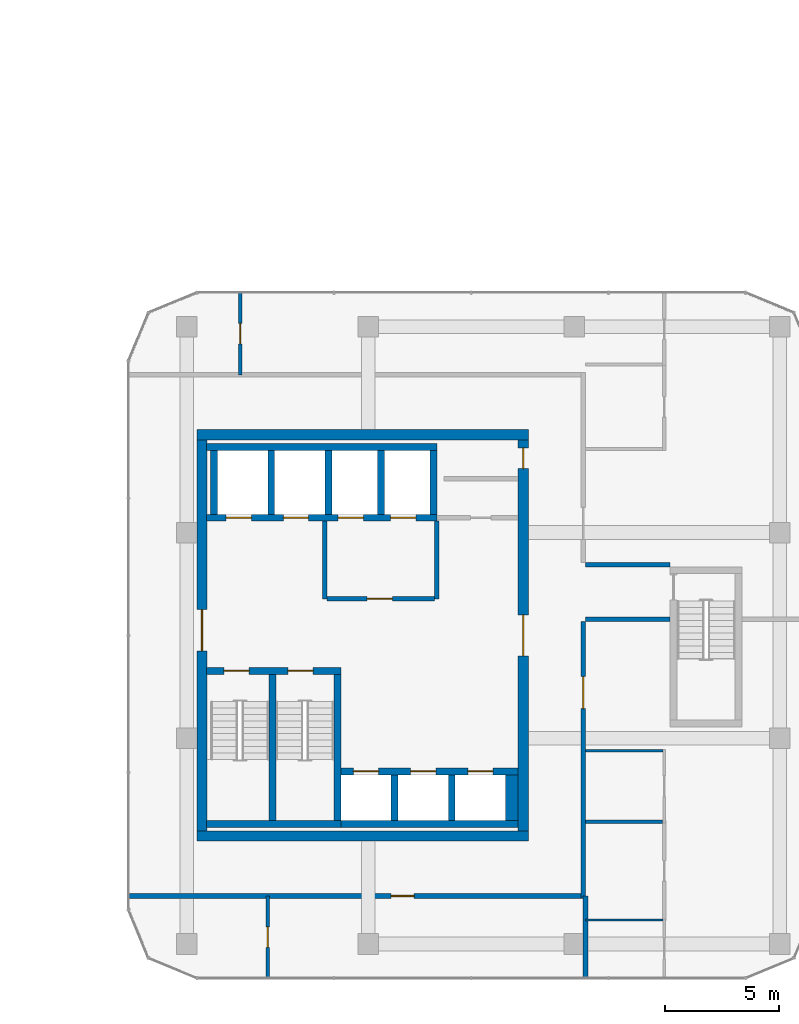
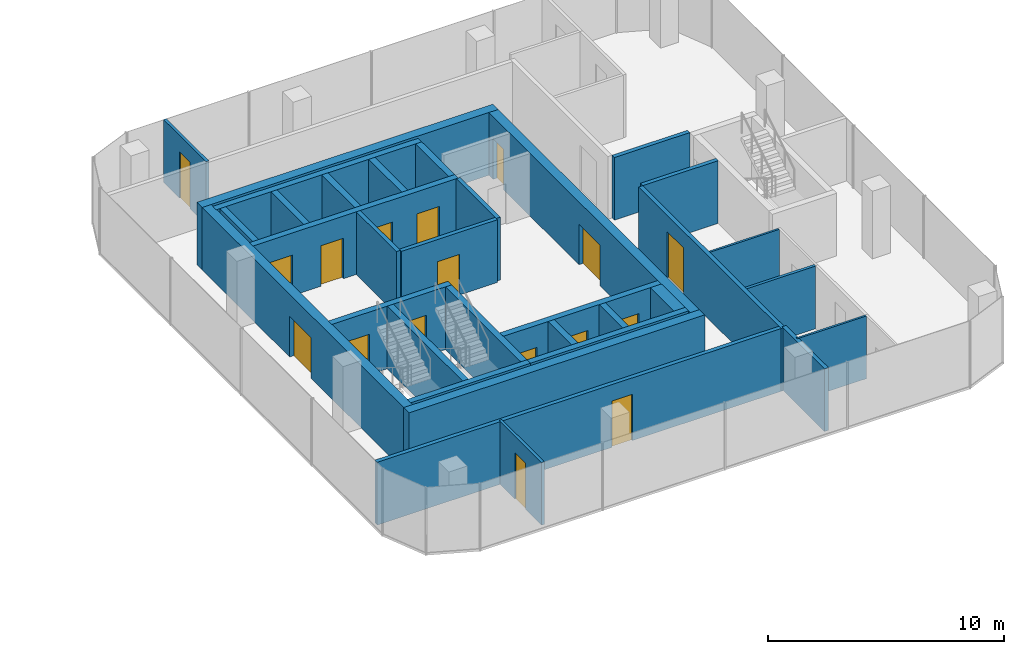
# One storey, part 18 of 23: 33 walls, 17 doors, 17 openings.
"""IFC4 building model written with IfcOpenShell, lengths in metres."""

from ifc_helpers import new_model, si_unit, direction, frame, frame_2d, origin, place, context, subcontext, project, spatial, rectangle, extrude, material, layer, layer_set, type_object, element, fill, save


model = new_model("IFC4")

# Units and contexts
model_context = context("Model", 3, precision=1e-05, world=origin(), true_north=direction((0.0, 1.0)))
body_context = subcontext(model_context, "Body", "Model", "MODEL_VIEW")
ifc_project = project(units=[si_unit("LENGTHUNIT", "METRE"), si_unit("AREAUNIT", "SQUARE_METRE"), si_unit("VOLUMEUNIT", "CUBIC_METRE"), si_unit("PLANEANGLEUNIT", "RADIAN"), si_unit("MASSUNIT", "GRAM", prefix="KILO")], contexts=[model_context])

# Site, building, storey
site_placement = place(None, origin())
site = spatial("IfcSite", under=ifc_project, at=site_placement, CompositionType="ELEMENT")
building_placement = place(site_placement, origin())
building = spatial("IfcBuilding", under=site, at=building_placement, Name="Plateau Cross Towers", CompositionType="ELEMENT")
storey_placement = place(building_placement, frame((0.0, 0.0, 85.300048828125)))
storey = spatial("IfcBuildingStorey", under=building, at=storey_placement, Name="L21", CompositionType="ELEMENT", Elevation=85.300048828125)

# Wall
ifc_material_1 = material(Name="Concrete block, plastered both sides", Category="concrete")
ifc_layer_1 = layer(ifc_material_1, 0.199951171875)
ifc_layer_set_1 = layer_set([ifc_layer_1], Name="Concrete block, plastered both sides")
wall_type_1 = type_object("IfcWallType", Name="Core partition 200", PredefinedType="PARTITIONING", material=ifc_layer_set_1)
wall_1_placement = place(storey_placement, frame((80.60009765625, 10.60009765625, 0.0), z_axis=(0.0, 0.0, 1.0), x_axis=(0.0, 1.0, 0.0)))
element("IfcWall", 1, at=wall_1_placement, inside=storey, type_object=wall_type_1, Name="Core partition", PredefinedType="PARTITIONING", context=body_context, shape_type="SweptSolid", body=[
    extrude(rectangle(XDim=3.39990234375, YDim=0.199951171875, at=frame_2d((1.699951171875, 0.0))), origin(), (0.0, 0.0, 1.0), 3.25),
])

# Wall, opening, door
wall_2_placement = place(storey_placement, frame((80.699951171875, 10.60009765625, 0.0), z_axis=(0.0, 0.0, 1.0), x_axis=(1.0, 0.0, 0.0)))
wall_2 = element("IfcWall", 2, at=wall_2_placement, inside=storey, type_object=wall_type_1, Name="Core partition", PredefinedType="PARTITIONING", context=body_context, shape_type="SweptSolid", body=[
    extrude(rectangle(XDim=4.699951171875, YDim=0.199951171875, at=frame_2d((2.35009765625, 0.0))), origin(), (0.0, 0.0, 1.0), 3.25),
])
opening_1_placement = place(wall_2_placement, frame((1.75, 0.0, 0.0)))
opening_1 = element("IfcOpeningElement", 3, at=opening_1_placement, cuts=wall_2, Name="Opening FFD", PredefinedType="OPENING", context=body_context, shape_type="SweptSolid", body=[
    extrude(rectangle(XDim=1.10009765625, YDim=2.10009765625, at=frame_2d((0.550048828125, 1.050048828125))), frame((0.0, 0.10986328125, 0.0), z_axis=(0.0, -1.0, 0.0), x_axis=(1.0, 0.0, 0.0)), (0.0, 0.0, 1.0), 0.219970703125),
])
ifc_material_2 = material(Name="Steel, fire-resisting leaf", Category="steel")
door_type_1 = type_object("IfcDoorType", Name="Firefighting lobby door 1100", OperationType="NOTDEFINED", PredefinedType="DOOR", material=ifc_material_2)
door_1_placement = place(opening_1_placement, origin())
door_1 = element("IfcDoor", 4, at=door_1_placement, inside=storey, type_object=door_type_1, Name="Firefighting lobby door FFD", OperationType="SINGLE_SWING_LEFT", OverallHeight=2.10009765625, OverallWidth=1.10009765625, PredefinedType="DOOR", context=body_context, shape_type="SweptSolid", body=[
    extrude(rectangle(XDim=1.10009765625, YDim=2.10009765625, at=frame_2d((0.550048828125, 1.050048828125))), frame((0.0, 0.02490234375, 0.0), z_axis=(0.0, -1.0, 0.0), x_axis=(1.0, 0.0, 0.0)), (0.0, 0.0, 1.0), 0.050048828125),
])
fill(opening_1, door_1)

# Walls
wall_3_placement = place(storey_placement, frame((85.5, 10.60009765625, 0.0), z_axis=(0.0, 0.0, 1.0), x_axis=(0.0, 1.0, 0.0)))
element("IfcWall", 5, at=wall_3_placement, inside=storey, type_object=wall_type_1, Name="Core partition", PredefinedType="PARTITIONING", context=body_context, shape_type="SweptSolid", body=[
    extrude(rectangle(XDim=3.39990234375, YDim=0.199951171875, at=frame_2d((1.699951171875, 0.0))), origin(), (0.0, 0.0, 1.0), 3.25),
])
ifc_material_3 = material(Name="Concrete C60/75", Category="concrete")
ifc_layer_2 = layer(ifc_material_3, 0.300048828125)
ifc_layer_set_2 = layer_set([ifc_layer_2], Name="Concrete C60/75")
wall_type_2 = type_object("IfcWallType", Name="Core shaft wall 300", PredefinedType="SHEAR", material=ifc_layer_set_2)
wall_4_placement = place(storey_placement, frame((75.429931640625, 0.75, 0.0), z_axis=(0.0, 0.0, 1.0), x_axis=(1.0, 0.0, 0.0)))
element("IfcWall", 6, at=wall_4_placement, inside=storey, type_object=wall_type_2, Name="B-sb-stS@L21", PredefinedType="SHEAR", context=body_context, shape_type="SweptSolid", body=[
    extrude(rectangle(XDim=5.8701171875, YDim=0.300048828125, at=frame_2d((2.93505859375, 0.0))), origin(), (0.0, 0.0, 1.0), 3.25),
])

# Wall, openings, doors
wall_5_placement = place(storey_placement, frame((75.429931640625, 7.449951171875, 0.0), z_axis=(0.0, 0.0, 1.0), x_axis=(1.0, 0.0, 0.0)))
wall_5 = element("IfcWall", 7, at=wall_5_placement, inside=storey, type_object=wall_type_2, Name="B-sb-stN@L21", PredefinedType="SHEAR", context=body_context, shape_type="SweptSolid", body=[
    extrude(rectangle(XDim=5.8701171875, YDim=0.300048828125, at=frame_2d((2.93505859375, 0.0))), origin(), (0.0, 0.0, 1.0), 3.25),
])
opening_2_placement = place(wall_5_placement, frame((0.75, 0.0, 0.0)))
opening_2 = element("IfcOpeningElement", 8, at=opening_2_placement, cuts=wall_5, Name="Opening SD", PredefinedType="OPENING", context=body_context, shape_type="SweptSolid", body=[
    extrude(rectangle(XDim=1.10009765625, YDim=2.10009765625, at=frame_2d((0.550048828125, 1.050048828125))), frame((0.0, 0.159912109375, 0.0), z_axis=(0.0, -1.0, 0.0), x_axis=(1.0, 0.0, 0.0)), (0.0, 0.0, 1.0), 0.320068359375),
])
opening_3_placement = place(wall_5_placement, frame((3.550048828125, 0.0, 0.0)))
opening_3 = element("IfcOpeningElement", 9, at=opening_3_placement, cuts=wall_5, Name="Opening SD", PredefinedType="OPENING", context=body_context, shape_type="SweptSolid", body=[
    extrude(rectangle(XDim=1.10009765625, YDim=2.10009765625, at=frame_2d((0.550048828125, 1.050048828125))), frame((0.0, 0.159912109375, 0.0), z_axis=(0.0, -1.0, 0.0), x_axis=(1.0, 0.0, 0.0)), (0.0, 0.0, 1.0), 0.320068359375),
])
door_type_2 = type_object("IfcDoorType", Name="Stair door 1100", OperationType="NOTDEFINED", PredefinedType="DOOR", material=ifc_material_2)
door_2_placement = place(opening_2_placement, origin())
door_2 = element("IfcDoor", 10, at=door_2_placement, inside=storey, type_object=door_type_2, Name="Stair door SD", OperationType="SINGLE_SWING_RIGHT", OverallHeight=2.10009765625, OverallWidth=1.10009765625, PredefinedType="DOOR", context=body_context, shape_type="SweptSolid", body=[
    extrude(rectangle(XDim=1.10009765625, YDim=2.10009765625, at=frame_2d((0.550048828125, 1.050048828125))), frame((0.0, 0.02490234375, 0.0), z_axis=(0.0, -1.0, 0.0), x_axis=(1.0, 0.0, 0.0)), (0.0, 0.0, 1.0), 0.050048828125),
])
fill(opening_2, door_2)
door_3_placement = place(opening_3_placement, origin())
door_3 = element("IfcDoor", 11, at=door_3_placement, inside=storey, type_object=door_type_2, Name="Stair door SD", OperationType="SINGLE_SWING_LEFT", OverallHeight=2.10009765625, OverallWidth=1.10009765625, PredefinedType="DOOR", context=body_context, shape_type="SweptSolid", body=[
    extrude(rectangle(XDim=1.10009765625, YDim=2.10009765625, at=frame_2d((0.550048828125, 1.050048828125))), frame((0.0, 0.02490234375, 0.0), z_axis=(0.0, -1.0, 0.0), x_axis=(1.0, 0.0, 0.0)), (0.0, 0.0, 1.0), 0.050048828125),
])
fill(opening_3, door_3)

# Walls
for number, where, z_axis, x_axis, name in (
    (12, (78.300048828125, 0.89990234375, 0.0), (0.0, 0.0, 1.0), (0.0, 1.0, 0.0), "B-sb-st1@L21"),
    (13, (81.14990234375, 0.89990234375, 0.0), (0.0, 0.0, 1.0), (0.0, 1.0, 0.0), "B-sb-st2@L21"),
):
    element("IfcWall", number, at=place(storey_placement, frame(where, z_axis=z_axis, x_axis=x_axis)), inside=storey, type_object=wall_type_2, Name=name, PredefinedType="SHEAR", context=body_context, shape_type="SweptSolid", body=[
        extrude(rectangle(XDim=6.400146484375, YDim=0.300048828125, at=frame_2d((3.2001953125, 0.0))), origin(), (0.0, 0.0, 1.0), 3.25),
    ])
wall_6_placement = place(storey_placement, frame((81.300048828125, 0.75, 0.0), z_axis=(0.0, 0.0, 1.0), x_axis=(1.0, 0.0, 0.0)))
element("IfcWall", 14, at=wall_6_placement, inside=storey, type_object=wall_type_2, Name="B-sb-back@L21", PredefinedType="SHEAR", context=body_context, shape_type="SweptSolid", body=[
    extrude(rectangle(XDim=7.75, YDim=0.300048828125, at=frame_2d((3.875, 0.0))), origin(), (0.0, 0.0, 1.0), 3.25),
])
for number, where, z_axis, x_axis, name in (
    (15, (83.64990234375, 0.89990234375, 0.0), (0.0, 0.0, 1.0), (0.0, 1.0, 0.0), "B-sb-v1@L21"),
    (16, (86.14990234375, 0.89990234375, 0.0), (0.0, 0.0, 1.0), (0.0, 1.0, 0.0), "B-sb-v2@L21"),
):
    element("IfcWall", number, at=place(storey_placement, frame(where, z_axis=z_axis, x_axis=x_axis)), inside=storey, type_object=wall_type_2, Name=name, PredefinedType="SHEAR", context=body_context, shape_type="SweptSolid", body=[
        extrude(rectangle(XDim=2.0, YDim=0.300048828125, at=frame_2d((1.0, 0.0))), origin(), (0.0, 0.0, 1.0), 3.25),
    ])

# Wall, openings, doors
wall_7_placement = place(storey_placement, frame((81.300048828125, 3.050048828125, 0.0), z_axis=(0.0, 0.0, 1.0), x_axis=(1.0, 0.0, 0.0)))
wall_7 = element("IfcWall", 17, at=wall_7_placement, inside=storey, type_object=wall_type_2, Name="B-sb-front@L21", PredefinedType="SHEAR", context=body_context, shape_type="SweptSolid", body=[
    extrude(rectangle(XDim=7.75, YDim=0.300048828125, at=frame_2d((3.875, 0.0))), origin(), (0.0, 0.0, 1.0), 3.25),
])
opening_4_placement = place(wall_7_placement, frame((0.550048828125, 0.0, 0.0)))
opening_4 = element("IfcOpeningElement", 18, at=opening_4_placement, cuts=wall_7, Name="Opening LD", PredefinedType="OPENING", context=body_context, shape_type="SweptSolid", body=[
    extrude(rectangle(XDim=1.10009765625, YDim=2.10009765625, at=frame_2d((0.550048828125, 1.050048828125))), frame((0.0, 0.159912109375, 0.0), z_axis=(0.0, -1.0, 0.0), x_axis=(1.0, 0.0, 0.0)), (0.0, 0.0, 1.0), 0.320068359375),
])
opening_5_placement = place(wall_7_placement, frame((3.050048828125, 0.0, 0.0)))
opening_5 = element("IfcOpeningElement", 19, at=opening_5_placement, cuts=wall_7, Name="Opening LD", PredefinedType="OPENING", context=body_context, shape_type="SweptSolid", body=[
    extrude(rectangle(XDim=1.10009765625, YDim=2.10009765625, at=frame_2d((0.550048828125, 1.050048828125))), frame((0.0, 0.159912109375, 0.0), z_axis=(0.0, -1.0, 0.0), x_axis=(1.0, 0.0, 0.0)), (0.0, 0.0, 1.0), 0.320068359375),
])
opening_6_placement = place(wall_7_placement, frame((5.550048828125, 0.0, 0.0)))
opening_6 = element("IfcOpeningElement", 20, at=opening_6_placement, cuts=wall_7, Name="Opening LD", PredefinedType="OPENING", context=body_context, shape_type="SweptSolid", body=[
    extrude(rectangle(XDim=1.10009765625, YDim=2.10009765625, at=frame_2d((0.550048828125, 1.050048828125))), frame((0.0, 0.159912109375, 0.0), z_axis=(0.0, -1.0, 0.0), x_axis=(1.0, 0.0, 0.0)), (0.0, 0.0, 1.0), 0.320068359375),
])
ifc_material_4 = material(Name="Stainless steel, fire-resisting sliding leaves", Category="steel")
door_type_3 = type_object("IfcDoorType", Name="Lift landing door 1100", OperationType="NOTDEFINED", PredefinedType="DOOR", material=ifc_material_4)
door_4_placement = place(opening_4_placement, origin())
door_4 = element("IfcDoor", 21, at=door_4_placement, inside=storey, type_object=door_type_3, Name="Lift landing door LD", OperationType="DOUBLE_DOOR_SLIDING", OverallHeight=2.10009765625, OverallWidth=1.10009765625, PredefinedType="DOOR", context=body_context, shape_type="SweptSolid", body=[
    extrude(rectangle(XDim=1.10009765625, YDim=2.10009765625, at=frame_2d((0.550048828125, 1.050048828125))), frame((0.0, 0.02490234375, 0.0), z_axis=(0.0, -1.0, 0.0), x_axis=(1.0, 0.0, 0.0)), (0.0, 0.0, 1.0), 0.050048828125),
])
fill(opening_4, door_4)
door_5_placement = place(opening_5_placement, origin())
door_5 = element("IfcDoor", 22, at=door_5_placement, inside=storey, type_object=door_type_3, Name="Lift landing door LD", OperationType="DOUBLE_DOOR_SLIDING", OverallHeight=2.10009765625, OverallWidth=1.10009765625, PredefinedType="DOOR", context=body_context, shape_type="SweptSolid", body=[
    extrude(rectangle(XDim=1.10009765625, YDim=2.10009765625, at=frame_2d((0.550048828125, 1.050048828125))), frame((0.0, 0.02490234375, 0.0), z_axis=(0.0, -1.0, 0.0), x_axis=(1.0, 0.0, 0.0)), (0.0, 0.0, 1.0), 0.050048828125),
])
fill(opening_5, door_5)
door_6_placement = place(opening_6_placement, origin())
door_6 = element("IfcDoor", 23, at=door_6_placement, inside=storey, type_object=door_type_3, Name="Lift landing door LD", OperationType="DOUBLE_DOOR_SLIDING", OverallHeight=2.10009765625, OverallWidth=1.10009765625, PredefinedType="DOOR", context=body_context, shape_type="SweptSolid", body=[
    extrude(rectangle(XDim=1.10009765625, YDim=2.10009765625, at=frame_2d((0.550048828125, 1.050048828125))), frame((0.0, 0.02490234375, 0.0), z_axis=(0.0, -1.0, 0.0), x_axis=(1.0, 0.0, 0.0)), (0.0, 0.0, 1.0), 0.050048828125),
])
fill(opening_6, door_6)

# Wall
wall_8_placement = place(storey_placement, frame((75.429931640625, 17.25, 0.0), z_axis=(0.0, 0.0, 1.0), x_axis=(1.0, 0.0, 0.0)))
element("IfcWall", 24, at=wall_8_placement, inside=storey, type_object=wall_type_2, Name="B-nb-back@L21", PredefinedType="SHEAR", context=body_context, shape_type="SweptSolid", body=[
    extrude(rectangle(XDim=10.070068359375, YDim=0.300048828125, at=frame_2d((5.03515625, 0.0))), origin(), (0.0, 0.0, 1.0), 3.25),
])

# Wall, openings, doors
wall_9_placement = place(storey_placement, frame((75.429931640625, 14.14990234375, 0.0), z_axis=(0.0, 0.0, 1.0), x_axis=(1.0, 0.0, 0.0)))
wall_9 = element("IfcWall", 25, at=wall_9_placement, inside=storey, type_object=wall_type_2, Name="B-nb-front@L21", PredefinedType="SHEAR", context=body_context, shape_type="SweptSolid", body=[
    extrude(rectangle(XDim=10.070068359375, YDim=0.300048828125, at=frame_2d((5.03515625, 0.0))), origin(), (0.0, 0.0, 1.0), 3.25),
])
opening_7_placement = place(wall_9_placement, frame((0.85009765625, 0.0, 0.0)))
opening_7 = element("IfcOpeningElement", 26, at=opening_7_placement, cuts=wall_9, Name="Opening LD", PredefinedType="OPENING", context=body_context, shape_type="SweptSolid", body=[
    extrude(rectangle(XDim=1.10009765625, YDim=2.10009765625, at=frame_2d((0.550048828125, 1.050048828125))), frame((0.0, 0.159912109375, 0.0), z_axis=(0.0, -1.0, 0.0), x_axis=(1.0, 0.0, 0.0)), (0.0, 0.0, 1.0), 0.320068359375),
])
opening_8_placement = place(wall_9_placement, frame((3.35009765625, 0.0, 0.0)))
opening_8 = element("IfcOpeningElement", 27, at=opening_8_placement, cuts=wall_9, Name="Opening LD", PredefinedType="OPENING", context=body_context, shape_type="SweptSolid", body=[
    extrude(rectangle(XDim=1.10009765625, YDim=2.10009765625, at=frame_2d((0.550048828125, 1.050048828125))), frame((0.0, 0.159912109375, 0.0), z_axis=(0.0, -1.0, 0.0), x_axis=(1.0, 0.0, 0.0)), (0.0, 0.0, 1.0), 0.320068359375),
])
opening_9_placement = place(wall_9_placement, frame((5.75, 0.0, 0.0)))
opening_9 = element("IfcOpeningElement", 28, at=opening_9_placement, cuts=wall_9, Name="Opening LD", PredefinedType="OPENING", context=body_context, shape_type="SweptSolid", body=[
    extrude(rectangle(XDim=1.10009765625, YDim=2.10009765625, at=frame_2d((0.550048828125, 1.050048828125))), frame((0.0, 0.159912109375, 0.0), z_axis=(0.0, -1.0, 0.0), x_axis=(1.0, 0.0, 0.0)), (0.0, 0.0, 1.0), 0.320068359375),
])
opening_10_placement = place(wall_9_placement, frame((8.050048828125, 0.0, 0.0)))
opening_10 = element("IfcOpeningElement", 29, at=opening_10_placement, cuts=wall_9, Name="Opening LD", PredefinedType="OPENING", context=body_context, shape_type="SweptSolid", body=[
    extrude(rectangle(XDim=1.10009765625, YDim=2.10009765625, at=frame_2d((0.550048828125, 1.050048828125))), frame((0.0, 0.159912109375, 0.0), z_axis=(0.0, -1.0, 0.0), x_axis=(1.0, 0.0, 0.0)), (0.0, 0.0, 1.0), 0.320068359375),
])
door_7_placement = place(opening_7_placement, origin())
door_7 = element("IfcDoor", 30, at=door_7_placement, inside=storey, type_object=door_type_3, Name="Lift landing door LD", OperationType="DOUBLE_DOOR_SLIDING", OverallHeight=2.10009765625, OverallWidth=1.10009765625, PredefinedType="DOOR", context=body_context, shape_type="SweptSolid", body=[
    extrude(rectangle(XDim=1.10009765625, YDim=2.10009765625, at=frame_2d((0.550048828125, 1.050048828125))), frame((0.0, 0.02490234375, 0.0), z_axis=(0.0, -1.0, 0.0), x_axis=(1.0, 0.0, 0.0)), (0.0, 0.0, 1.0), 0.050048828125),
])
fill(opening_7, door_7)
door_8_placement = place(opening_8_placement, origin())
door_8 = element("IfcDoor", 31, at=door_8_placement, inside=storey, type_object=door_type_3, Name="Lift landing door LD", OperationType="DOUBLE_DOOR_SLIDING", OverallHeight=2.10009765625, OverallWidth=1.10009765625, PredefinedType="DOOR", context=body_context, shape_type="SweptSolid", body=[
    extrude(rectangle(XDim=1.10009765625, YDim=2.10009765625, at=frame_2d((0.550048828125, 1.050048828125))), frame((0.0, 0.02490234375, 0.0), z_axis=(0.0, -1.0, 0.0), x_axis=(1.0, 0.0, 0.0)), (0.0, 0.0, 1.0), 0.050048828125),
])
fill(opening_8, door_8)
door_9_placement = place(opening_9_placement, origin())
door_9 = element("IfcDoor", 32, at=door_9_placement, inside=storey, type_object=door_type_3, Name="Lift landing door LD", OperationType="DOUBLE_DOOR_SLIDING", OverallHeight=2.10009765625, OverallWidth=1.10009765625, PredefinedType="DOOR", context=body_context, shape_type="SweptSolid", body=[
    extrude(rectangle(XDim=1.10009765625, YDim=2.10009765625, at=frame_2d((0.550048828125, 1.050048828125))), frame((0.0, 0.02490234375, 0.0), z_axis=(0.0, -1.0, 0.0), x_axis=(1.0, 0.0, 0.0)), (0.0, 0.0, 1.0), 0.050048828125),
])
fill(opening_9, door_9)
door_10_placement = place(opening_10_placement, origin())
door_10 = element("IfcDoor", 33, at=door_10_placement, inside=storey, type_object=door_type_3, Name="Lift landing door LD", OperationType="DOUBLE_DOOR_SLIDING", OverallHeight=2.10009765625, OverallWidth=1.10009765625, PredefinedType="DOOR", context=body_context, shape_type="SweptSolid", body=[
    extrude(rectangle(XDim=1.10009765625, YDim=2.10009765625, at=frame_2d((0.550048828125, 1.050048828125))), frame((0.0, 0.02490234375, 0.0), z_axis=(0.0, -1.0, 0.0), x_axis=(1.0, 0.0, 0.0)), (0.0, 0.0, 1.0), 0.050048828125),
])
fill(opening_10, door_10)

# Walls
for number, where, z_axis, x_axis, name in (
    (34, (75.75, 14.300048828125, 0.0), (0.0, 0.0, 1.0), (0.0, 1.0, 0.0), "B-nb-v0@L21"),
    (35, (78.25, 14.300048828125, 0.0), (0.0, 0.0, 1.0), (0.0, 1.0, 0.0), "B-nb-v1@L21"),
    (36, (80.75, 14.300048828125, 0.0), (0.0, 0.0, 1.0), (0.0, 1.0, 0.0), "B-nb-v2@L21"),
    (37, (83.050048828125, 14.300048828125, 0.0), (0.0, 0.0, 1.0), (0.0, 1.0, 0.0), "B-nb-v3@L21"),
    (38, (85.35009765625, 14.300048828125, 0.0), (0.0, 0.0, 1.0), (0.0, 1.0, 0.0), "B-nb-v4@L21"),
):
    element("IfcWall", number, at=place(storey_placement, frame(where, z_axis=z_axis, x_axis=x_axis)), inside=storey, type_object=wall_type_2, Name=name, PredefinedType="SHEAR", context=body_context, shape_type="SweptSolid", body=[
        extrude(rectangle(XDim=2.800048828125, YDim=0.300048828125, at=frame_2d((1.39990234375, 0.0))), origin(), (0.0, 0.0, 1.0), 3.25),
    ])
ifc_layer_3 = layer(ifc_material_3, 0.550048828125)
ifc_layer_set_3 = layer_set([ifc_layer_3], Name="Concrete C60/75")
wall_type_3 = type_object("IfcWallType", Name="Core shaft wall 550", PredefinedType="SHEAR", material=ifc_layer_set_3)
wall_10_placement = place(storey_placement, frame((88.77490234375, 0.89990234375, 0.0), z_axis=(0.0, 0.0, 1.0), x_axis=(0.0, 1.0, 0.0)))
element("IfcWall", 39, at=wall_10_placement, inside=storey, type_object=wall_type_3, Name="B-sb-v3@L21", PredefinedType="SHEAR", context=body_context, shape_type="SweptSolid", body=[
    extrude(rectangle(XDim=2.0, YDim=0.550048828125, at=frame_2d((1.0, 0.0))), origin(), (0.0, 0.0, 1.0), 3.25),
])
ifc_layer_4 = layer(ifc_material_3, 0.449951171875)
ifc_layer_set_4 = layer_set([ifc_layer_4], Name="Concrete C60/75")
wall_type_4 = type_object("IfcWallType", Name="Core shell wall 450", PredefinedType="SHEAR", material=ifc_layer_set_4)
for number, where, z_axis, x_axis, name in (
    (40, (75.0, 0.22509765625, 0.0), (0.0, 0.0, 1.0), (1.0, 0.0, 0.0), "B-core-S@L21"),
    (41, (75.0, 17.77490234375, 0.0), (0.0, 0.0, 1.0), (1.0, 0.0, 0.0), "B-core-N@L21"),
):
    element("IfcWall", number, at=place(storey_placement, frame(where, z_axis=z_axis, x_axis=x_axis)), inside=storey, type_object=wall_type_4, Name=name, PredefinedType="SHEAR", context=body_context, shape_type="SweptSolid", body=[
        extrude(rectangle(XDim=14.5, YDim=0.449951171875, at=frame_2d((7.25, 0.0))), origin(), (0.0, 0.0, 1.0), 3.25),
    ])

# Wall, opening, door
wall_11_placement = place(storey_placement, frame((75.22509765625, 0.449951171875, 0.0), z_axis=(0.0, 0.0, 1.0), x_axis=(0.0, 1.0, 0.0)))
wall_11 = element("IfcWall", 42, at=wall_11_placement, inside=storey, type_object=wall_type_4, Name="B-core-W@L21", PredefinedType="SHEAR", context=body_context, shape_type="SweptSolid", body=[
    extrude(rectangle(XDim=17.10009765625, YDim=0.449951171875, at=frame_2d((8.550048828125, 0.0))), origin(), (0.0, 0.0, 1.0), 3.25),
])
opening_11_placement = place(wall_11_placement, frame((7.875, 0.0, 0.0)))
opening_11 = element("IfcOpeningElement", 43, at=opening_11_placement, cuts=wall_11, Name="Opening CD", PredefinedType="OPENING", context=body_context, shape_type="SweptSolid", body=[
    extrude(rectangle(XDim=1.800048828125, YDim=2.10009765625, at=frame_2d((0.89990234375, 1.050048828125))), frame((0.0, 0.23486328125, 0.0), z_axis=(0.0, -1.0, 0.0), x_axis=(1.0, 0.0, 0.0)), (0.0, 0.0, 1.0), 0.469970703125),
])
ifc_material_5 = material(Name="Steel, fire-resisting leaves", Category="steel")
door_type_4 = type_object("IfcDoorType", Name="Corridor door pair 1800", OperationType="NOTDEFINED", PredefinedType="DOOR", material=ifc_material_5)
door_11_placement = place(opening_11_placement, origin())
door_11 = element("IfcDoor", 44, at=door_11_placement, inside=storey, type_object=door_type_4, Name="Corridor door pair CD", OperationType="DOUBLE_DOOR_SINGLE_SWING", OverallHeight=2.10009765625, OverallWidth=1.800048828125, PredefinedType="DOOR", context=body_context, shape_type="SweptSolid", body=[
    extrude(rectangle(XDim=1.800048828125, YDim=2.10009765625, at=frame_2d((0.89990234375, 1.050048828125))), frame((0.0, 0.02490234375, 0.0), z_axis=(0.0, -1.0, 0.0), x_axis=(1.0, 0.0, 0.0)), (0.0, 0.0, 1.0), 0.050048828125),
])
fill(opening_11, door_11)

# Wall, openings, doors
wall_12_placement = place(storey_placement, frame((89.27490234375, 0.449951171875, 0.0), z_axis=(0.0, 0.0, 1.0), x_axis=(0.0, 1.0, 0.0)))
wall_12 = element("IfcWall", 45, at=wall_12_placement, inside=storey, type_object=wall_type_4, Name="B-core-E@L21", PredefinedType="SHEAR", context=body_context, shape_type="SweptSolid", body=[
    extrude(rectangle(XDim=17.10009765625, YDim=0.449951171875, at=frame_2d((8.550048828125, 0.0))), origin(), (0.0, 0.0, 1.0), 3.25),
])
opening_12_placement = place(wall_12_placement, frame((7.64990234375, 0.0, 0.0)))
opening_12 = element("IfcOpeningElement", 46, at=opening_12_placement, cuts=wall_12, Name="Opening CD", PredefinedType="OPENING", context=body_context, shape_type="SweptSolid", body=[
    extrude(rectangle(XDim=1.800048828125, YDim=2.10009765625, at=frame_2d((0.89990234375, 1.050048828125))), frame((0.0, 0.23486328125, 0.0), z_axis=(0.0, -1.0, 0.0), x_axis=(1.0, 0.0, 0.0)), (0.0, 0.0, 1.0), 0.469970703125),
])
opening_13_placement = place(wall_12_placement, frame((15.85009765625, 0.0, 0.0)))
opening_13 = element("IfcOpeningElement", 47, at=opening_13_placement, cuts=wall_12, Name="Opening RD2", PredefinedType="OPENING", context=body_context, shape_type="SweptSolid", body=[
    extrude(rectangle(XDim=0.89990234375, YDim=2.10009765625, at=frame_2d((0.449951171875, 1.050048828125))), frame((0.0, 0.23486328125, 0.0), z_axis=(0.0, -1.0, 0.0), x_axis=(1.0, 0.0, 0.0)), (0.0, 0.0, 1.0), 0.469970703125),
])
door_type_5 = type_object("IfcDoorType", Name="Core riser door 900", OperationType="NOTDEFINED", PredefinedType="DOOR", material=ifc_material_2)
door_12_placement = place(opening_13_placement, origin())
door_12 = element("IfcDoor", 48, at=door_12_placement, inside=storey, type_object=door_type_5, Name="Core riser door RD2", OperationType="SINGLE_SWING_LEFT", OverallHeight=2.10009765625, OverallWidth=0.89990234375, PredefinedType="DOOR", context=body_context, shape_type="SweptSolid", body=[
    extrude(rectangle(XDim=0.89990234375, YDim=2.10009765625, at=frame_2d((0.449951171875, 1.050048828125))), frame((0.0, 0.02490234375, 0.0), z_axis=(0.0, -1.0, 0.0), x_axis=(1.0, 0.0, 0.0)), (0.0, 0.0, 1.0), 0.050048828125),
])
fill(opening_13, door_12)
door_13_placement = place(opening_12_placement, origin())
door_13 = element("IfcDoor", 49, at=door_13_placement, inside=storey, type_object=door_type_4, Name="Corridor door pair CD", OperationType="DOUBLE_DOOR_SINGLE_SWING", OverallHeight=2.10009765625, OverallWidth=1.800048828125, PredefinedType="DOOR", context=body_context, shape_type="SweptSolid", body=[
    extrude(rectangle(XDim=1.800048828125, YDim=2.10009765625, at=frame_2d((0.89990234375, 1.050048828125))), frame((0.0, 0.02490234375, 0.0), z_axis=(0.0, -1.0, 0.0), x_axis=(1.0, 0.0, 0.0)), (0.0, 0.0, 1.0), 0.050048828125),
])
fill(opening_12, door_13)

# Wall, opening, door
ifc_material_6 = material(Name="Gypsum board on steel studs, two layers each side", Category="steel")
ifc_layer_5 = layer(ifc_material_6, 0.199951171875)
ifc_layer_set_5 = layer_set([ifc_layer_5], Name="Gypsum board on steel studs, two layers each side")
wall_type_5 = type_object("IfcWallType", Name="Corridor wall 200", PredefinedType="PARTITIONING", material=ifc_layer_set_5)
wall_13_placement = place(storey_placement, frame((72.0, -2.39990234375, 0.0), z_axis=(0.0, 0.0, 1.0), x_axis=(1.0, 0.0, 0.0)))
wall_13 = element("IfcWall", 50, at=wall_13_placement, inside=storey, type_object=wall_type_5, Name="Ring wall", PredefinedType="PARTITIONING", context=body_context, shape_type="SweptSolid", body=[
    extrude(rectangle(XDim=20.0, YDim=0.199951171875, at=frame_2d((10.0, 0.0))), origin(), (0.0, 0.0, 1.0), 3.25),
])
opening_14_placement = place(wall_13_placement, frame((11.5, 0.0, 0.0)))
opening_14 = element("IfcOpeningElement", 51, at=opening_14_placement, cuts=wall_13, Name="Opening D-BO10", PredefinedType="OPENING", context=body_context, shape_type="SweptSolid", body=[
    extrude(rectangle(XDim=1.0, YDim=2.39990234375, at=frame_2d((0.5, 1.199951171875))), frame((0.0, 0.10986328125, 0.0), z_axis=(0.0, -1.0, 0.0), x_axis=(1.0, 0.0, 0.0)), (0.0, 0.0, 1.0), 0.219970703125),
])
ifc_material_7 = material(Name="Fire-resisting glazed leaf in a steel frame", Category="steel")
door_type_6 = type_object("IfcDoorType", Name="Office glazed entrance leaf 1000x2400", OperationType="NOTDEFINED", PredefinedType="DOOR", material=ifc_material_7)
door_14_placement = place(opening_14_placement, origin())
door_14 = element("IfcDoor", 52, at=door_14_placement, inside=storey, type_object=door_type_6, Name="Door D-BO10", OperationType="SINGLE_SWING_LEFT", OverallHeight=2.39990234375, OverallWidth=1.0, PredefinedType="DOOR", context=body_context, shape_type="SweptSolid", body=[
    extrude(rectangle(XDim=1.0, YDim=2.39990234375, at=frame_2d((0.5, 1.199951171875))), frame((0.0, 0.02490234375, 0.0), z_axis=(0.0, -1.0, 0.0), x_axis=(1.0, 0.0, 0.0)), (0.0, 0.0, 1.0), 0.050048828125),
])
fill(opening_14, door_14)

wall_14_placement = place(storey_placement, frame((91.89990234375, -2.5, 0.0), z_axis=(0.0, 0.0, 1.0), x_axis=(0.0, 1.0, 0.0)))
wall_14 = element("IfcWall", 53, at=wall_14_placement, inside=storey, type_object=wall_type_5, Name="Ring wall", PredefinedType="PARTITIONING", context=body_context, shape_type="SweptSolid", body=[
    extrude(rectangle(XDim=12.10009765625, YDim=0.199951171875, at=frame_2d((6.050048828125, 0.0))), origin(), (0.0, 0.0, 1.0), 3.25),
])
opening_15_placement = place(wall_14_placement, frame((8.300048828125, 0.0, 0.0)))
opening_15 = element("IfcOpeningElement", 54, at=opening_15_placement, cuts=wall_14, Name="Opening D-BE14", PredefinedType="OPENING", context=body_context, shape_type="SweptSolid", body=[
    extrude(rectangle(XDim=1.39990234375, YDim=2.39990234375, at=frame_2d((0.699951171875, 1.199951171875))), frame((0.0, 0.10986328125, 0.0), z_axis=(0.0, -1.0, 0.0), x_axis=(1.0, 0.0, 0.0)), (0.0, 0.0, 1.0), 0.219970703125),
])
ifc_material_8 = material(Name="Timber, fire-resisting leaves", Category="wood")
door_type_7 = type_object("IfcDoorType", Name="Tenant entrance double-leaf 1400x2400", OperationType="NOTDEFINED", PredefinedType="DOOR", material=ifc_material_8)
door_15_placement = place(opening_15_placement, origin())
door_15 = element("IfcDoor", 55, at=door_15_placement, inside=storey, type_object=door_type_7, Name="Door D-BE14", OperationType="DOUBLE_DOOR_SINGLE_SWING", OverallHeight=2.39990234375, OverallWidth=1.39990234375, PredefinedType="DOOR", context=body_context, shape_type="SweptSolid", body=[
    extrude(rectangle(XDim=1.39990234375, YDim=2.39990234375, at=frame_2d((0.699951171875, 1.199951171875))), frame((0.0, 0.02490234375, 0.0), z_axis=(0.0, -1.0, 0.0), x_axis=(1.0, 0.0, 0.0)), (0.0, 0.0, 1.0), 0.050048828125),
])
fill(opening_15, door_15)

# Walls
for number, where, z_axis, x_axis, name in (
    (56, (92.0, 9.699951171875, 0.0), (0.0, 0.0, 1.0), (1.0, 0.0, 0.0), "Ring wall"),
    (57, (92.0, 12.10009765625, 0.0), (0.0, 0.0, 1.0), (1.0, 0.0, 0.0), "Ring wall"),
):
    element("IfcWall", number, at=place(storey_placement, frame(where, z_axis=z_axis, x_axis=x_axis)), inside=storey, type_object=wall_type_5, Name=name, PredefinedType="PARTITIONING", context=body_context, shape_type="SweptSolid", body=[
        extrude(rectangle(XDim=3.699951171875, YDim=0.199951171875, at=frame_2d((1.85009765625, 0.0))), origin(), (0.0, 0.0, 1.0), 3.25),
    ])

# Wall, opening, door
ifc_material_9 = material(Name="Gypsum board on staggered steel studs, mineral wool, two layers each side", Category="steel")
ifc_layer_6 = layer(ifc_material_9, 0.139892578125)
ifc_layer_set_6 = layer_set([ifc_layer_6], Name="Gypsum board on staggered steel studs, mineral wool, two layers each side")
wall_type_6 = type_object("IfcWallType", Name="Meeting room acoustic partition 140", PredefinedType="PARTITIONING", material=ifc_layer_set_6)
wall_15_placement = place(storey_placement, frame((78.10009765625, -6.0, 0.0), z_axis=(0.0, 0.0, 1.0), x_axis=(0.0, 1.0, 0.0)))
wall_15 = element("IfcWall", 58, at=wall_15_placement, inside=storey, type_object=wall_type_6, Name="Acoustic wall", PredefinedType="PARTITIONING", context=body_context, shape_type="SweptSolid", body=[
    extrude(rectangle(XDim=3.60009765625, YDim=0.139892578125, at=frame_2d((1.800048828125, 0.0))), origin(), (0.0, 0.0, 1.0), 3.25),
])
opening_16_placement = place(wall_15_placement, frame((1.35009765625, 0.0, 0.0)))
opening_16 = element("IfcOpeningElement", 59, at=opening_16_placement, cuts=wall_15, Name="Opening D-BM9", PredefinedType="OPENING", context=body_context, shape_type="SweptSolid", body=[
    extrude(rectangle(XDim=0.89990234375, YDim=2.39990234375, at=frame_2d((0.449951171875, 1.199951171875))), frame((0.0, 0.079833984375, 0.0), z_axis=(0.0, -1.0, 0.0), x_axis=(1.0, 0.0, 0.0)), (0.0, 0.0, 1.0), 0.159912109375),
])
ifc_material_10 = material(Name="Timber leaf, full height", Category="wood")
door_type_8 = type_object("IfcDoorType", Name="Meeting room door 900x2400", OperationType="NOTDEFINED", PredefinedType="DOOR", material=ifc_material_10)
door_16_placement = place(opening_16_placement, origin())
door_16 = element("IfcDoor", 60, at=door_16_placement, inside=storey, type_object=door_type_8, Name="Door D-BM9", OperationType="SINGLE_SWING_LEFT", OverallHeight=2.39990234375, OverallWidth=0.89990234375, PredefinedType="DOOR", context=body_context, shape_type="SweptSolid", body=[
    extrude(rectangle(XDim=0.89990234375, YDim=2.39990234375, at=frame_2d((0.449951171875, 1.199951171875))), frame((0.0, 0.02490234375, 0.0), z_axis=(0.0, -1.0, 0.0), x_axis=(1.0, 0.0, 0.0)), (0.0, 0.0, 1.0), 0.050048828125),
])
fill(opening_16, door_16)

# Wall
wall_16_placement = place(storey_placement, frame((92.0, 0.85009765625, 0.0), z_axis=(0.0, 0.0, 1.0), x_axis=(1.0, 0.0, 0.0)))
element("IfcWall", 61, at=wall_16_placement, inside=storey, type_object=wall_type_6, Name="Acoustic wall", PredefinedType="PARTITIONING", context=body_context, shape_type="SweptSolid", body=[
    extrude(rectangle(XDim=3.3798828125, YDim=0.139892578125, at=frame_2d((1.68994140625, 0.0))), origin(), (0.0, 0.0, 1.0), 3.25),
])

# Wall, opening, door
wall_17_placement = place(storey_placement, frame((76.89990234375, 20.39990234375, 0.0), z_axis=(0.0, 0.0, 1.0), x_axis=(0.0, 1.0, 0.0)))
wall_17 = element("IfcWall", 62, at=wall_17_placement, inside=storey, type_object=wall_type_6, Name="Acoustic wall", PredefinedType="PARTITIONING", context=body_context, shape_type="SweptSolid", body=[
    extrude(rectangle(XDim=3.60009765625, YDim=0.139892578125, at=frame_2d((1.800048828125, 0.0))), origin(), (0.0, 0.0, 1.0), 3.25),
])
opening_17_placement = place(wall_17_placement, frame((1.35009765625, 0.0, 0.0)))
opening_17 = element("IfcOpeningElement", 63, at=opening_17_placement, cuts=wall_17, Name="Opening D-BM9", PredefinedType="OPENING", context=body_context, shape_type="SweptSolid", body=[
    extrude(rectangle(XDim=0.89990234375, YDim=2.39990234375, at=frame_2d((0.449951171875, 1.199951171875))), frame((0.0, 0.079833984375, 0.0), z_axis=(0.0, -1.0, 0.0), x_axis=(1.0, 0.0, 0.0)), (0.0, 0.0, 1.0), 0.159912109375),
])
door_17_placement = place(opening_17_placement, origin())
door_17 = element("IfcDoor", 64, at=door_17_placement, inside=storey, type_object=door_type_8, Name="Door D-BM9", OperationType="SINGLE_SWING_LEFT", OverallHeight=2.39990234375, OverallWidth=0.89990234375, PredefinedType="DOOR", context=body_context, shape_type="SweptSolid", body=[
    extrude(rectangle(XDim=0.89990234375, YDim=2.39990234375, at=frame_2d((0.449951171875, 1.199951171875))), frame((0.0, 0.02490234375, 0.0), z_axis=(0.0, -1.0, 0.0), x_axis=(1.0, 0.0, 0.0)), (0.0, 0.0, 1.0), 0.050048828125),
])
fill(opening_17, door_17)

# Walls
ifc_material_11 = material(Name="Gypsum board on steel studs", Category="steel")
ifc_layer_7 = layer(ifc_material_11, 0.10009765625)
ifc_layer_set_7 = layer_set([ifc_layer_7], Name="Gypsum board on steel studs")
wall_type_7 = type_object("IfcWallType", Name="Office partition 100", PredefinedType="PARTITIONING", material=ifc_layer_set_7)
for number, where, z_axis, x_axis, name in (
    (65, (92.0, -3.449951171875, 0.0), (0.0, 0.0, 1.0), (1.0, 0.0, 0.0), "Part wall"),
    (66, (92.0, 3.949951171875, 0.0), (0.0, 0.0, 1.0), (1.0, 0.0, 0.0), "Part wall"),
):
    element("IfcWall", number, at=place(storey_placement, frame(where, z_axis=z_axis, x_axis=x_axis)), inside=storey, type_object=wall_type_7, Name=name, PredefinedType="PARTITIONING", context=body_context, shape_type="SweptSolid", body=[
        extrude(rectangle(XDim=3.39990234375, YDim=0.10009765625, at=frame_2d((1.699951171875, 0.0))), origin(), (0.0, 0.0, 1.0), 3.25),
    ])
ifc_layer_8 = layer(ifc_material_6, 0.199951171875)
ifc_layer_set_8 = layer_set([ifc_layer_8], Name="Gypsum board on steel studs, two layers each side")
wall_type_8 = type_object("IfcWallType", Name="Tenancy demising wall 200", PredefinedType="PARTITIONING", material=ifc_layer_set_8)
wall_18_placement = place(storey_placement, frame((92.0, -6.0, 0.0), z_axis=(0.0, 0.0, 1.0), x_axis=(0.0, 1.0, 0.0)))
element("IfcWall", 67, at=wall_18_placement, inside=storey, type_object=wall_type_8, Name="Demising wall", PredefinedType="PARTITIONING", context=body_context, shape_type="SweptSolid", body=[
    extrude(rectangle(XDim=3.60009765625, YDim=0.199951171875, at=frame_2d((1.800048828125, 0.0))), origin(), (0.0, 0.0, 1.0), 3.25),
])

save(model, "model.ifc")
